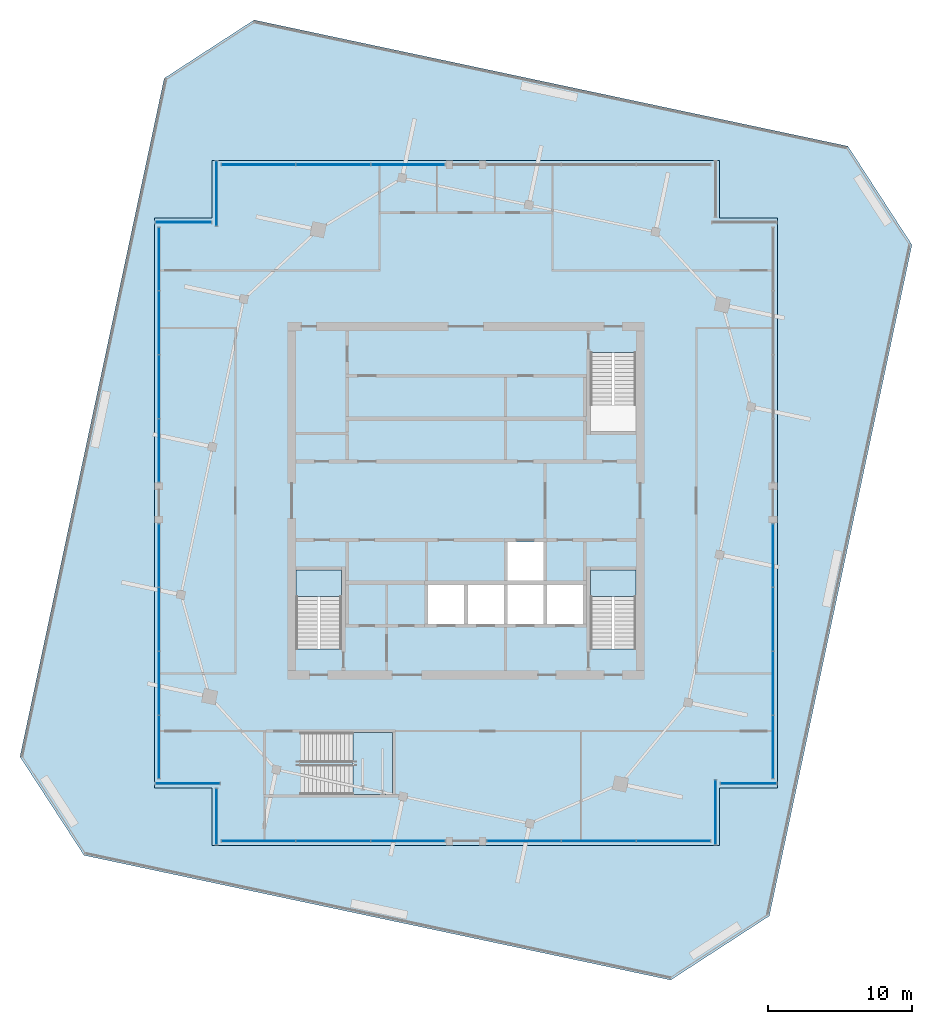
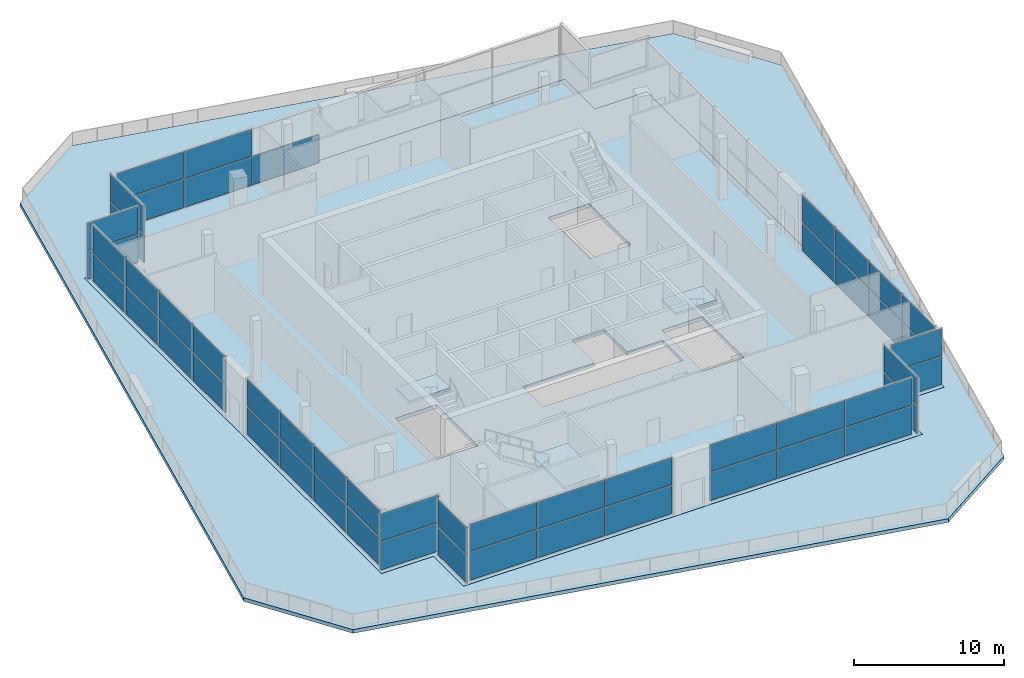
# One storey, part 6 of 14: 53 plates, 5 slabs, 15 elements without a shape of their own.
"""IFC4 building model written with IfcOpenShell, lengths in metres."""

from ifc_helpers import new_model, si_unit, direction, frame, origin, origin_2d, place, context, subcontext, project, spatial, polyline, rectangle, outline, extrude, material, layer, layer_set, type_object, element, aggregate, save


model = new_model("IFC4")

# Units and contexts
model_context = context("Model", 3, precision=1e-05, world=origin(), true_north=direction((0.0, 1.0)))
body_context = subcontext(model_context, "Body", "Model", "MODEL_VIEW")
ifc_project = project(units=[si_unit("LENGTHUNIT", "METRE"), si_unit("AREAUNIT", "SQUARE_METRE"), si_unit("VOLUMEUNIT", "CUBIC_METRE"), si_unit("PLANEANGLEUNIT", "RADIAN"), si_unit("MASSUNIT", "GRAM", prefix="KILO")], contexts=[model_context])

# Site, building, storey
site_placement = place(None, origin())
site = spatial("IfcSite", under=ifc_project, at=site_placement, CompositionType="ELEMENT")
building_placement = place(site_placement, origin())
building = spatial("IfcBuilding", under=site, at=building_placement, Name="Dilmun Exchange Tower", CompositionType="ELEMENT")
storey_placement = place(building_placement, frame((0.0, 0.0, 368.10009765625)))
storey = spatial("IfcBuildingStorey", under=building, at=storey_placement, Name="Crown L86", CompositionType="ELEMENT", Elevation=368.10009765625)

# Stair, slab
ifc_material_1 = material(Name="Concrete C40/50", Category="concrete")
stair_type_1 = type_object("IfcStairType", Name="Exit stair 1500 half-turn", PredefinedType="HALF_TURN_STAIR", material=ifc_material_1)
stair_1_placement = place(storey_placement, origin())
stair_1 = element("IfcStair", 1, at=stair_1_placement, inside=storey, type_object=stair_type_1, Name="Crown L86 Protected exit stair ST2", PredefinedType="HALF_TURN_STAIR")
ifc_layer_1 = layer(ifc_material_1, 0.199951171875)
ifc_layer_set_1 = layer_set([ifc_layer_1], Name="Concrete C40/50")
slab_type_1 = type_object("IfcSlabType", Name="Exit stair landing 200", PredefinedType="LANDING", material=ifc_layer_set_1)
slab_1_placement = place(storey_placement, frame((0.0, 0.0, 2.2998046875)))
slab_1 = element("IfcSlab", 2, at=slab_1_placement, type_object=slab_type_1, Name="ST2 landing 1", PredefinedType="LANDING", context=body_context, shape_type="SweptSolid", body=[
    extrude(outline(polyline([(-8.64990234375, -6.659912109375), (-8.64990234375, -4.800048828125), (-11.800048828125, -4.800048828125), (-11.800048828125, -6.659912109375), (-8.64990234375, -6.659912109375)])), origin(), (0.0, 0.0, 1.0), 0.2001953125),
])
aggregate(stair_1, [slab_1])

stair_2_placement = place(storey_placement, origin())
stair_2 = element("IfcStair", 3, at=stair_2_placement, inside=storey, type_object=stair_type_1, Name="Crown L86 Protected exit stair ST3", PredefinedType="HALF_TURN_STAIR")
slab_2_placement = place(storey_placement, frame((0.0, 0.0, 2.2998046875)))
slab_2 = element("IfcSlab", 4, at=slab_2_placement, type_object=slab_type_1, Name="ST3 landing 1", PredefinedType="LANDING", context=body_context, shape_type="SweptSolid", body=[
    extrude(outline(polyline([(11.800048828125, -6.659912109375), (11.800048828125, -4.800048828125), (8.64990234375, -4.800048828125), (8.64990234375, -6.659912109375), (11.800048828125, -6.659912109375)])), origin(), (0.0, 0.0, 1.0), 0.2001953125),
])
aggregate(stair_2, [slab_2])

# Curtain wall, plates
ifc_material_2 = material(Name="Anodised aluminium and clear glass", Category="aluminium")
curtain_wall_type = type_object("IfcCurtainWallType", Name="Observation lounge glazing", PredefinedType="NOTDEFINED", material=ifc_material_2)
curtain_wall_1_placement = place(storey_placement, origin())
curtain_wall_1 = element("IfcCurtainWall", 5, at=curtain_wall_1_placement, inside=storey, type_object=curtain_wall_type, Name="Observation lounge glazing run OL3.E", PredefinedType="NOTDEFINED")
ifc_material_3 = material(Name="Clear glass", Category="glass")
ifc_layer_2 = layer(ifc_material_3, 0.0439453125)
ifc_layer_set_2 = layer_set([ifc_layer_2], Name="Clear glass")
plate_type = type_object("IfcPlateType", Name="Observation lounge glazing glass panel 44", PredefinedType="CURTAIN_PANEL", material=ifc_layer_set_2)
plate_1_placement = place(storey_placement, frame((-4.021484375, 23.340087890625, 0.06982421875), z_axis=(0.0, 0.0, 1.0), x_axis=(-1.0, 0.0, 0.0)))
plate_1 = element("IfcPlate", 6, at=plate_1_placement, type_object=plate_type, Name="OL3.E panel 1.1", PredefinedType="CURTAIN_PANEL", context=body_context, shape_type="SweptSolid", body=[
    extrude(rectangle(XDim=5.102783203125, YDim=0.0439453125, at=origin_2d()), origin(), (0.0, 0.0, 1.0), 2.294921875),
])
plate_2_placement = place(storey_placement, frame((-9.211669921875, 23.340087890625, 0.06982421875), z_axis=(0.0, 0.0, 1.0), x_axis=(-1.0, 0.0, 0.0)))
plate_2 = element("IfcPlate", 7, at=plate_2_placement, type_object=plate_type, Name="OL3.E panel 2.1", PredefinedType="CURTAIN_PANEL", context=body_context, shape_type="SweptSolid", body=[
    extrude(rectangle(XDim=5.137939453125, YDim=0.0439453125, at=origin_2d()), origin(), (0.0, 0.0, 1.0), 2.294921875),
])
plate_3_placement = place(storey_placement, frame((-9.211669921875, 23.340087890625, 2.43505859375), z_axis=(0.0, 0.0, 1.0), x_axis=(-1.0, 0.0, 0.0)))
plate_3 = element("IfcPlate", 8, at=plate_3_placement, type_object=plate_type, Name="OL3.E panel 2.2", PredefinedType="CURTAIN_PANEL", context=body_context, shape_type="SweptSolid", body=[
    extrude(rectangle(XDim=5.137939453125, YDim=0.0439453125, at=origin_2d()), origin(), (0.0, 0.0, 1.0), 2.195068359375),
])
plate_4_placement = place(storey_placement, frame((-14.402099609375, 23.340087890625, 0.06982421875), z_axis=(0.0, 0.0, 1.0), x_axis=(-1.0, 0.0, 0.0)))
plate_4 = element("IfcPlate", 9, at=plate_4_placement, type_object=plate_type, Name="OL3.E panel 3.1", PredefinedType="CURTAIN_PANEL", context=body_context, shape_type="SweptSolid", body=[
    extrude(rectangle(XDim=5.102783203125, YDim=0.0439453125, at=origin_2d()), origin(), (0.0, 0.0, 1.0), 2.294921875),
])
plate_5_placement = place(storey_placement, frame((-14.402099609375, 23.340087890625, 2.43505859375), z_axis=(0.0, 0.0, 1.0), x_axis=(-1.0, 0.0, 0.0)))
plate_5 = element("IfcPlate", 10, at=plate_5_placement, type_object=plate_type, Name="OL3.E panel 3.2", PredefinedType="CURTAIN_PANEL", context=body_context, shape_type="SweptSolid", body=[
    extrude(rectangle(XDim=5.102783203125, YDim=0.0439453125, at=origin_2d()), origin(), (0.0, 0.0, 1.0), 2.195068359375),
])
aggregate(curtain_wall_1, [plate_1, plate_2, plate_3, plate_4, plate_5])

curtain_wall_2_placement = place(storey_placement, origin())
curtain_wall_2 = element("IfcCurtainWall", 11, at=curtain_wall_2_placement, inside=storey, type_object=curtain_wall_type, Name="Observation lounge glazing run OL4", PredefinedType="NOTDEFINED")
plate_6_placement = place(storey_placement, frame((-17.323486328125, 21.340087890625, 0.06982421875), z_axis=(0.0, 0.0, 1.0), x_axis=(0.0, -1.0, 0.0)))
plate_6 = element("IfcPlate", 12, at=plate_6_placement, type_object=plate_type, Name="OL4 panel 1.1", PredefinedType="CURTAIN_PANEL", context=body_context, shape_type="SweptSolid", body=[
    extrude(rectangle(XDim=4.4599609375, YDim=0.0439453125, at=origin_2d()), origin(), (0.0, 0.0, 1.0), 2.294921875),
])
plate_7_placement = place(storey_placement, frame((-17.323486328125, 21.340087890625, 2.43505859375), z_axis=(0.0, 0.0, 1.0), x_axis=(0.0, -1.0, 0.0)))
plate_7 = element("IfcPlate", 13, at=plate_7_placement, type_object=plate_type, Name="OL4 panel 1.2", PredefinedType="CURTAIN_PANEL", context=body_context, shape_type="SweptSolid", body=[
    extrude(rectangle(XDim=4.4599609375, YDim=0.0439453125, at=origin_2d()), origin(), (0.0, 0.0, 1.0), 2.195068359375),
])
aggregate(curtain_wall_2, [plate_6, plate_7])

curtain_wall_3_placement = place(storey_placement, origin())
curtain_wall_3 = element("IfcCurtainWall", 14, at=curtain_wall_3_placement, inside=storey, type_object=curtain_wall_type, Name="Observation lounge glazing run OL5", PredefinedType="NOTDEFINED")
plate_8_placement = place(storey_placement, frame((-19.62353515625, 19.340087890625, 0.06982421875), z_axis=(0.0, 0.0, 1.0), x_axis=(-1.0, 0.0, 0.0)))
plate_8 = element("IfcPlate", 15, at=plate_8_placement, type_object=plate_type, Name="OL5 panel 1.1", PredefinedType="CURTAIN_PANEL", context=body_context, shape_type="SweptSolid", body=[
    extrude(rectangle(XDim=3.860107421875, YDim=0.0439453125, at=origin_2d()), origin(), (0.0, 0.0, 1.0), 2.294921875),
])
plate_9_placement = place(storey_placement, frame((-19.62353515625, 19.340087890625, 2.43505859375), z_axis=(0.0, 0.0, 1.0), x_axis=(-1.0, 0.0, 0.0)))
plate_9 = element("IfcPlate", 16, at=plate_9_placement, type_object=plate_type, Name="OL5 panel 1.2", PredefinedType="CURTAIN_PANEL", context=body_context, shape_type="SweptSolid", body=[
    extrude(rectangle(XDim=3.860107421875, YDim=0.0439453125, at=origin_2d()), origin(), (0.0, 0.0, 1.0), 2.195068359375),
])
aggregate(curtain_wall_3, [plate_8, plate_9])

curtain_wall_4_placement = place(storey_placement, origin())
curtain_wall_4 = element("IfcCurtainWall", 17, at=curtain_wall_4_placement, inside=storey, type_object=curtain_wall_type, Name="Observation lounge glazing run OL6.1", PredefinedType="NOTDEFINED")
plate_10_placement = place(storey_placement, frame((-21.323486328125, 16.79931640625, 0.06982421875), z_axis=(0.0, 0.0, 1.0), x_axis=(0.0, -1.0, 0.0)))
plate_10 = element("IfcPlate", 18, at=plate_10_placement, type_object=plate_type, Name="OL6.1 panel 1.1", PredefinedType="CURTAIN_PANEL", context=body_context, shape_type="SweptSolid", body=[
    extrude(rectangle(XDim=4.341796875, YDim=0.0439453125, at=origin_2d()), origin(), (0.0, 0.0, 1.0), 2.294921875),
])
plate_11_placement = place(storey_placement, frame((-21.323486328125, 16.79931640625, 2.43505859375), z_axis=(0.0, 0.0, 1.0), x_axis=(0.0, -1.0, 0.0)))
plate_11 = element("IfcPlate", 19, at=plate_11_placement, type_object=plate_type, Name="OL6.1 panel 1.2", PredefinedType="CURTAIN_PANEL", context=body_context, shape_type="SweptSolid", body=[
    extrude(rectangle(XDim=4.341796875, YDim=0.0439453125, at=origin_2d()), origin(), (0.0, 0.0, 1.0), 2.195068359375),
])
plate_12_placement = place(storey_placement, frame((-21.323486328125, 12.3701171875, 0.06982421875), z_axis=(0.0, 0.0, 1.0), x_axis=(0.0, -1.0, 0.0)))
plate_12 = element("IfcPlate", 20, at=plate_12_placement, type_object=plate_type, Name="OL6.1 panel 2.1", PredefinedType="CURTAIN_PANEL", context=body_context, shape_type="SweptSolid", body=[
    extrude(rectangle(XDim=4.376708984375, YDim=0.0439453125, at=origin_2d()), origin(), (0.0, 0.0, 1.0), 2.294921875),
])
plate_13_placement = place(storey_placement, frame((-21.323486328125, 12.3701171875, 2.43505859375), z_axis=(0.0, 0.0, 1.0), x_axis=(0.0, -1.0, 0.0)))
plate_13 = element("IfcPlate", 21, at=plate_13_placement, type_object=plate_type, Name="OL6.1 panel 2.2", PredefinedType="CURTAIN_PANEL", context=body_context, shape_type="SweptSolid", body=[
    extrude(rectangle(XDim=4.376708984375, YDim=0.0439453125, at=origin_2d()), origin(), (0.0, 0.0, 1.0), 2.195068359375),
])
plate_14_placement = place(storey_placement, frame((-21.323486328125, 7.923095703125, 0.06982421875), z_axis=(0.0, 0.0, 1.0), x_axis=(0.0, -1.0, 0.0)))
plate_14 = element("IfcPlate", 22, at=plate_14_placement, type_object=plate_type, Name="OL6.1 panel 3.1", PredefinedType="CURTAIN_PANEL", context=body_context, shape_type="SweptSolid", body=[
    extrude(rectangle(XDim=4.376708984375, YDim=0.0439453125, at=origin_2d()), origin(), (0.0, 0.0, 1.0), 2.294921875),
])
plate_15_placement = place(storey_placement, frame((-21.323486328125, 7.923095703125, 2.43505859375), z_axis=(0.0, 0.0, 1.0), x_axis=(0.0, -1.0, 0.0)))
plate_15 = element("IfcPlate", 23, at=plate_15_placement, type_object=plate_type, Name="OL6.1 panel 3.2", PredefinedType="CURTAIN_PANEL", context=body_context, shape_type="SweptSolid", body=[
    extrude(rectangle(XDim=4.376708984375, YDim=0.0439453125, at=origin_2d()), origin(), (0.0, 0.0, 1.0), 2.195068359375),
])
plate_16_placement = place(storey_placement, frame((-21.323486328125, 3.493896484375, 0.06982421875), z_axis=(0.0, 0.0, 1.0), x_axis=(0.0, -1.0, 0.0)))
plate_16 = element("IfcPlate", 24, at=plate_16_placement, type_object=plate_type, Name="OL6.1 panel 4.1", PredefinedType="CURTAIN_PANEL", context=body_context, shape_type="SweptSolid", body=[
    extrude(rectangle(XDim=4.341796875, YDim=0.0439453125, at=origin_2d()), origin(), (0.0, 0.0, 1.0), 2.294921875),
])
plate_17_placement = place(storey_placement, frame((-21.323486328125, 3.493896484375, 2.43505859375), z_axis=(0.0, 0.0, 1.0), x_axis=(0.0, -1.0, 0.0)))
plate_17 = element("IfcPlate", 25, at=plate_17_placement, type_object=plate_type, Name="OL6.1 panel 4.2", PredefinedType="CURTAIN_PANEL", context=body_context, shape_type="SweptSolid", body=[
    extrude(rectangle(XDim=4.341796875, YDim=0.0439453125, at=origin_2d()), origin(), (0.0, 0.0, 1.0), 2.195068359375),
])
aggregate(curtain_wall_4, [plate_10, plate_11, plate_12, plate_13, plate_14, plate_15, plate_16, plate_17])

curtain_wall_5_placement = place(storey_placement, origin())
curtain_wall_5 = element("IfcCurtainWall", 26, at=curtain_wall_5_placement, inside=storey, type_object=curtain_wall_type, Name="Observation lounge glazing run OL6.E", PredefinedType="NOTDEFINED")
plate_18_placement = place(storey_placement, frame((-21.323486328125, -3.787841796875, 0.06982421875), z_axis=(0.0, 0.0, 1.0), x_axis=(0.0, -1.0, 0.0)))
plate_18 = element("IfcPlate", 27, at=plate_18_placement, type_object=plate_type, Name="OL6.E panel 1.1", PredefinedType="CURTAIN_PANEL", context=body_context, shape_type="SweptSolid", body=[
    extrude(rectangle(XDim=4.341796875, YDim=0.0439453125, at=origin_2d()), origin(), (0.0, 0.0, 1.0), 2.294921875),
])
plate_19_placement = place(storey_placement, frame((-21.323486328125, -3.787841796875, 2.43505859375), z_axis=(0.0, 0.0, 1.0), x_axis=(0.0, -1.0, 0.0)))
plate_19 = element("IfcPlate", 28, at=plate_19_placement, type_object=plate_type, Name="OL6.E panel 1.2", PredefinedType="CURTAIN_PANEL", context=body_context, shape_type="SweptSolid", body=[
    extrude(rectangle(XDim=4.341796875, YDim=0.0439453125, at=origin_2d()), origin(), (0.0, 0.0, 1.0), 2.195068359375),
])
plate_20_placement = place(storey_placement, frame((-21.323486328125, -8.21728515625, 0.06982421875), z_axis=(0.0, 0.0, 1.0), x_axis=(0.0, -1.0, 0.0)))
plate_20 = element("IfcPlate", 29, at=plate_20_placement, type_object=plate_type, Name="OL6.E panel 2.1", PredefinedType="CURTAIN_PANEL", context=body_context, shape_type="SweptSolid", body=[
    extrude(rectangle(XDim=4.376708984375, YDim=0.0439453125, at=origin_2d()), origin(), (0.0, 0.0, 1.0), 2.294921875),
])
plate_21_placement = place(storey_placement, frame((-21.323486328125, -8.21728515625, 2.43505859375), z_axis=(0.0, 0.0, 1.0), x_axis=(0.0, -1.0, 0.0)))
plate_21 = element("IfcPlate", 30, at=plate_21_placement, type_object=plate_type, Name="OL6.E panel 2.2", PredefinedType="CURTAIN_PANEL", context=body_context, shape_type="SweptSolid", body=[
    extrude(rectangle(XDim=4.376708984375, YDim=0.0439453125, at=origin_2d()), origin(), (0.0, 0.0, 1.0), 2.195068359375),
])
plate_22_placement = place(storey_placement, frame((-21.323486328125, -12.6640625, 0.06982421875), z_axis=(0.0, 0.0, 1.0), x_axis=(0.0, -1.0, 0.0)))
plate_22 = element("IfcPlate", 31, at=plate_22_placement, type_object=plate_type, Name="OL6.E panel 3.1", PredefinedType="CURTAIN_PANEL", context=body_context, shape_type="SweptSolid", body=[
    extrude(rectangle(XDim=4.376708984375, YDim=0.0439453125, at=origin_2d()), origin(), (0.0, 0.0, 1.0), 2.294921875),
])
plate_23_placement = place(storey_placement, frame((-21.323486328125, -12.6640625, 2.43505859375), z_axis=(0.0, 0.0, 1.0), x_axis=(0.0, -1.0, 0.0)))
plate_23 = element("IfcPlate", 32, at=plate_23_placement, type_object=plate_type, Name="OL6.E panel 3.2", PredefinedType="CURTAIN_PANEL", context=body_context, shape_type="SweptSolid", body=[
    extrude(rectangle(XDim=4.376708984375, YDim=0.0439453125, at=origin_2d()), origin(), (0.0, 0.0, 1.0), 2.195068359375),
])
plate_24_placement = place(storey_placement, frame((-21.323486328125, -17.09326171875, 0.06982421875), z_axis=(0.0, 0.0, 1.0), x_axis=(0.0, -1.0, 0.0)))
plate_24 = element("IfcPlate", 33, at=plate_24_placement, type_object=plate_type, Name="OL6.E panel 4.1", PredefinedType="CURTAIN_PANEL", context=body_context, shape_type="SweptSolid", body=[
    extrude(rectangle(XDim=4.341796875, YDim=0.0439453125, at=origin_2d()), origin(), (0.0, 0.0, 1.0), 2.294921875),
])
plate_25_placement = place(storey_placement, frame((-21.323486328125, -17.09326171875, 2.43505859375), z_axis=(0.0, 0.0, 1.0), x_axis=(0.0, -1.0, 0.0)))
plate_25 = element("IfcPlate", 34, at=plate_25_placement, type_object=plate_type, Name="OL6.E panel 4.2", PredefinedType="CURTAIN_PANEL", context=body_context, shape_type="SweptSolid", body=[
    extrude(rectangle(XDim=4.341796875, YDim=0.0439453125, at=origin_2d()), origin(), (0.0, 0.0, 1.0), 2.195068359375),
])
aggregate(curtain_wall_5, [plate_18, plate_19, plate_20, plate_21, plate_22, plate_23, plate_24, plate_25])

curtain_wall_6_placement = place(storey_placement, origin())
curtain_wall_6 = element("IfcCurtainWall", 35, at=curtain_wall_6_placement, inside=storey, type_object=curtain_wall_type, Name="Observation lounge glazing run OL7", PredefinedType="NOTDEFINED")
plate_26_placement = place(storey_placement, frame((-19.323486328125, -19.63427734375, 0.06982421875), z_axis=(0.0, 0.0, 1.0), x_axis=(1.0, 0.0, 0.0)))
plate_26 = element("IfcPlate", 36, at=plate_26_placement, type_object=plate_type, Name="OL7 panel 1.1", PredefinedType="CURTAIN_PANEL", context=body_context, shape_type="SweptSolid", body=[
    extrude(rectangle(XDim=4.4599609375, YDim=0.0439453125, at=origin_2d()), origin(), (0.0, 0.0, 1.0), 2.294921875),
])
plate_27_placement = place(storey_placement, frame((-19.323486328125, -19.63427734375, 2.43505859375), z_axis=(0.0, 0.0, 1.0), x_axis=(1.0, 0.0, 0.0)))
plate_27 = element("IfcPlate", 37, at=plate_27_placement, type_object=plate_type, Name="OL7 panel 1.2", PredefinedType="CURTAIN_PANEL", context=body_context, shape_type="SweptSolid", body=[
    extrude(rectangle(XDim=4.4599609375, YDim=0.0439453125, at=origin_2d()), origin(), (0.0, 0.0, 1.0), 2.195068359375),
])
aggregate(curtain_wall_6, [plate_26, plate_27])

curtain_wall_7_placement = place(storey_placement, origin())
curtain_wall_7 = element("IfcCurtainWall", 38, at=curtain_wall_7_placement, inside=storey, type_object=curtain_wall_type, Name="Observation lounge glazing run OL8", PredefinedType="NOTDEFINED")
plate_28_placement = place(storey_placement, frame((-17.323486328125, -21.93408203125, 0.06982421875), z_axis=(0.0, 0.0, 1.0), x_axis=(0.0, -1.0, 0.0)))
plate_28 = element("IfcPlate", 39, at=plate_28_placement, type_object=plate_type, Name="OL8 panel 1.1", PredefinedType="CURTAIN_PANEL", context=body_context, shape_type="SweptSolid", body=[
    extrude(rectangle(XDim=3.860107421875, YDim=0.0439453125, at=origin_2d()), origin(), (0.0, 0.0, 1.0), 2.294921875),
])
plate_29_placement = place(storey_placement, frame((-17.323486328125, -21.93408203125, 2.43505859375), z_axis=(0.0, 0.0, 1.0), x_axis=(0.0, -1.0, 0.0)))
plate_29 = element("IfcPlate", 40, at=plate_29_placement, type_object=plate_type, Name="OL8 panel 1.2", PredefinedType="CURTAIN_PANEL", context=body_context, shape_type="SweptSolid", body=[
    extrude(rectangle(XDim=3.860107421875, YDim=0.0439453125, at=origin_2d()), origin(), (0.0, 0.0, 1.0), 2.195068359375),
])
aggregate(curtain_wall_7, [plate_28, plate_29])

curtain_wall_8_placement = place(storey_placement, origin())
curtain_wall_8 = element("IfcCurtainWall", 41, at=curtain_wall_8_placement, inside=storey, type_object=curtain_wall_type, Name="Observation lounge glazing run OL9.1", PredefinedType="NOTDEFINED")
plate_30_placement = place(storey_placement, frame((-14.402099609375, -23.63427734375, 0.06982421875), z_axis=(0.0, 0.0, 1.0), x_axis=(1.0, 0.0, 0.0)))
plate_30 = element("IfcPlate", 42, at=plate_30_placement, type_object=plate_type, Name="OL9.1 panel 1.1", PredefinedType="CURTAIN_PANEL", context=body_context, shape_type="SweptSolid", body=[
    extrude(rectangle(XDim=5.102783203125, YDim=0.0439453125, at=origin_2d()), origin(), (0.0, 0.0, 1.0), 2.294921875),
])
plate_31_placement = place(storey_placement, frame((-14.402099609375, -23.63427734375, 2.43505859375), z_axis=(0.0, 0.0, 1.0), x_axis=(1.0, 0.0, 0.0)))
plate_31 = element("IfcPlate", 43, at=plate_31_placement, type_object=plate_type, Name="OL9.1 panel 1.2", PredefinedType="CURTAIN_PANEL", context=body_context, shape_type="SweptSolid", body=[
    extrude(rectangle(XDim=5.102783203125, YDim=0.0439453125, at=origin_2d()), origin(), (0.0, 0.0, 1.0), 2.195068359375),
])
plate_32_placement = place(storey_placement, frame((-9.211669921875, -23.63427734375, 0.06982421875), z_axis=(0.0, 0.0, 1.0), x_axis=(1.0, 0.0, 0.0)))
plate_32 = element("IfcPlate", 44, at=plate_32_placement, type_object=plate_type, Name="OL9.1 panel 2.1", PredefinedType="CURTAIN_PANEL", context=body_context, shape_type="SweptSolid", body=[
    extrude(rectangle(XDim=5.137939453125, YDim=0.0439453125, at=origin_2d()), origin(), (0.0, 0.0, 1.0), 2.294921875),
])
plate_33_placement = place(storey_placement, frame((-9.211669921875, -23.63427734375, 2.43505859375), z_axis=(0.0, 0.0, 1.0), x_axis=(1.0, 0.0, 0.0)))
plate_33 = element("IfcPlate", 45, at=plate_33_placement, type_object=plate_type, Name="OL9.1 panel 2.2", PredefinedType="CURTAIN_PANEL", context=body_context, shape_type="SweptSolid", body=[
    extrude(rectangle(XDim=5.137939453125, YDim=0.0439453125, at=origin_2d()), origin(), (0.0, 0.0, 1.0), 2.195068359375),
])
plate_34_placement = place(storey_placement, frame((-4.021484375, -23.63427734375, 0.06982421875), z_axis=(0.0, 0.0, 1.0), x_axis=(1.0, 0.0, 0.0)))
plate_34 = element("IfcPlate", 46, at=plate_34_placement, type_object=plate_type, Name="OL9.1 panel 3.1", PredefinedType="CURTAIN_PANEL", context=body_context, shape_type="SweptSolid", body=[
    extrude(rectangle(XDim=5.102783203125, YDim=0.0439453125, at=origin_2d()), origin(), (0.0, 0.0, 1.0), 2.294921875),
])
plate_35_placement = place(storey_placement, frame((-4.021484375, -23.63427734375, 2.43505859375), z_axis=(0.0, 0.0, 1.0), x_axis=(1.0, 0.0, 0.0)))
plate_35 = element("IfcPlate", 47, at=plate_35_placement, type_object=plate_type, Name="OL9.1 panel 3.2", PredefinedType="CURTAIN_PANEL", context=body_context, shape_type="SweptSolid", body=[
    extrude(rectangle(XDim=5.102783203125, YDim=0.0439453125, at=origin_2d()), origin(), (0.0, 0.0, 1.0), 2.195068359375),
])
aggregate(curtain_wall_8, [plate_30, plate_31, plate_32, plate_33, plate_34, plate_35])

curtain_wall_9_placement = place(storey_placement, origin())
curtain_wall_9 = element("IfcCurtainWall", 48, at=curtain_wall_9_placement, inside=storey, type_object=curtain_wall_type, Name="Observation lounge glazing run OL9.E", PredefinedType="NOTDEFINED")
plate_36_placement = place(storey_placement, frame((4.021484375, -23.63427734375, 0.06982421875), z_axis=(0.0, 0.0, 1.0), x_axis=(1.0, 0.0, 0.0)))
plate_36 = element("IfcPlate", 49, at=plate_36_placement, type_object=plate_type, Name="OL9.E panel 1.1", PredefinedType="CURTAIN_PANEL", context=body_context, shape_type="SweptSolid", body=[
    extrude(rectangle(XDim=5.102783203125, YDim=0.0439453125, at=origin_2d()), origin(), (0.0, 0.0, 1.0), 2.294921875),
])
plate_37_placement = place(storey_placement, frame((4.021484375, -23.63427734375, 2.43505859375), z_axis=(0.0, 0.0, 1.0), x_axis=(1.0, 0.0, 0.0)))
plate_37 = element("IfcPlate", 50, at=plate_37_placement, type_object=plate_type, Name="OL9.E panel 1.2", PredefinedType="CURTAIN_PANEL", context=body_context, shape_type="SweptSolid", body=[
    extrude(rectangle(XDim=5.102783203125, YDim=0.0439453125, at=origin_2d()), origin(), (0.0, 0.0, 1.0), 2.195068359375),
])
plate_38_placement = place(storey_placement, frame((9.211669921875, -23.63427734375, 0.06982421875), z_axis=(0.0, 0.0, 1.0), x_axis=(1.0, 0.0, 0.0)))
plate_38 = element("IfcPlate", 51, at=plate_38_placement, type_object=plate_type, Name="OL9.E panel 2.1", PredefinedType="CURTAIN_PANEL", context=body_context, shape_type="SweptSolid", body=[
    extrude(rectangle(XDim=5.137939453125, YDim=0.0439453125, at=origin_2d()), origin(), (0.0, 0.0, 1.0), 2.294921875),
])
plate_39_placement = place(storey_placement, frame((9.211669921875, -23.63427734375, 2.43505859375), z_axis=(0.0, 0.0, 1.0), x_axis=(1.0, 0.0, 0.0)))
plate_39 = element("IfcPlate", 52, at=plate_39_placement, type_object=plate_type, Name="OL9.E panel 2.2", PredefinedType="CURTAIN_PANEL", context=body_context, shape_type="SweptSolid", body=[
    extrude(rectangle(XDim=5.137939453125, YDim=0.0439453125, at=origin_2d()), origin(), (0.0, 0.0, 1.0), 2.195068359375),
])
plate_40_placement = place(storey_placement, frame((14.402099609375, -23.63427734375, 0.06982421875), z_axis=(0.0, 0.0, 1.0), x_axis=(1.0, 0.0, 0.0)))
plate_40 = element("IfcPlate", 53, at=plate_40_placement, type_object=plate_type, Name="OL9.E panel 3.1", PredefinedType="CURTAIN_PANEL", context=body_context, shape_type="SweptSolid", body=[
    extrude(rectangle(XDim=5.102783203125, YDim=0.0439453125, at=origin_2d()), origin(), (0.0, 0.0, 1.0), 2.294921875),
])
plate_41_placement = place(storey_placement, frame((14.402099609375, -23.63427734375, 2.43505859375), z_axis=(0.0, 0.0, 1.0), x_axis=(1.0, 0.0, 0.0)))
plate_41 = element("IfcPlate", 54, at=plate_41_placement, type_object=plate_type, Name="OL9.E panel 3.2", PredefinedType="CURTAIN_PANEL", context=body_context, shape_type="SweptSolid", body=[
    extrude(rectangle(XDim=5.102783203125, YDim=0.0439453125, at=origin_2d()), origin(), (0.0, 0.0, 1.0), 2.195068359375),
])
aggregate(curtain_wall_9, [plate_36, plate_37, plate_38, plate_39, plate_40, plate_41])

curtain_wall_10_placement = place(storey_placement, origin())
curtain_wall_10 = element("IfcCurtainWall", 55, at=curtain_wall_10_placement, inside=storey, type_object=curtain_wall_type, Name="Observation lounge glazing run OL10", PredefinedType="NOTDEFINED")
plate_42_placement = place(storey_placement, frame((17.323486328125, -21.63427734375, 0.06982421875), z_axis=(0.0, 0.0, 1.0), x_axis=(0.0, 1.0, 0.0)))
plate_42 = element("IfcPlate", 56, at=plate_42_placement, type_object=plate_type, Name="OL10 panel 1.1", PredefinedType="CURTAIN_PANEL", context=body_context, shape_type="SweptSolid", body=[
    extrude(rectangle(XDim=4.4599609375, YDim=0.0439453125, at=origin_2d()), origin(), (0.0, 0.0, 1.0), 2.294921875),
])
plate_43_placement = place(storey_placement, frame((17.323486328125, -21.63427734375, 2.43505859375), z_axis=(0.0, 0.0, 1.0), x_axis=(0.0, 1.0, 0.0)))
plate_43 = element("IfcPlate", 57, at=plate_43_placement, type_object=plate_type, Name="OL10 panel 1.2", PredefinedType="CURTAIN_PANEL", context=body_context, shape_type="SweptSolid", body=[
    extrude(rectangle(XDim=4.4599609375, YDim=0.0439453125, at=origin_2d()), origin(), (0.0, 0.0, 1.0), 2.195068359375),
])
aggregate(curtain_wall_10, [plate_42, plate_43])

curtain_wall_11_placement = place(storey_placement, origin())
curtain_wall_11 = element("IfcCurtainWall", 58, at=curtain_wall_11_placement, inside=storey, type_object=curtain_wall_type, Name="Observation lounge glazing run OL11", PredefinedType="NOTDEFINED")
plate_44_placement = place(storey_placement, frame((19.62353515625, -19.63427734375, 0.06982421875), z_axis=(0.0, 0.0, 1.0), x_axis=(1.0, 0.0, 0.0)))
plate_44 = element("IfcPlate", 59, at=plate_44_placement, type_object=plate_type, Name="OL11 panel 1.1", PredefinedType="CURTAIN_PANEL", context=body_context, shape_type="SweptSolid", body=[
    extrude(rectangle(XDim=3.860107421875, YDim=0.0439453125, at=origin_2d()), origin(), (0.0, 0.0, 1.0), 2.294921875),
])
plate_45_placement = place(storey_placement, frame((19.62353515625, -19.63427734375, 2.43505859375), z_axis=(0.0, 0.0, 1.0), x_axis=(1.0, 0.0, 0.0)))
plate_45 = element("IfcPlate", 60, at=plate_45_placement, type_object=plate_type, Name="OL11 panel 1.2", PredefinedType="CURTAIN_PANEL", context=body_context, shape_type="SweptSolid", body=[
    extrude(rectangle(XDim=3.860107421875, YDim=0.0439453125, at=origin_2d()), origin(), (0.0, 0.0, 1.0), 2.195068359375),
])
aggregate(curtain_wall_11, [plate_44, plate_45])

curtain_wall_12_placement = place(storey_placement, origin())
curtain_wall_12 = element("IfcCurtainWall", 61, at=curtain_wall_12_placement, inside=storey, type_object=curtain_wall_type, Name="Observation lounge glazing run OL12.1", PredefinedType="NOTDEFINED")
plate_46_placement = place(storey_placement, frame((21.323486328125, -17.09326171875, 0.06982421875), z_axis=(0.0, 0.0, 1.0), x_axis=(0.0, 1.0, 0.0)))
plate_46 = element("IfcPlate", 62, at=plate_46_placement, type_object=plate_type, Name="OL12.1 panel 1.1", PredefinedType="CURTAIN_PANEL", context=body_context, shape_type="SweptSolid", body=[
    extrude(rectangle(XDim=4.341796875, YDim=0.0439453125, at=origin_2d()), origin(), (0.0, 0.0, 1.0), 2.294921875),
])
plate_47_placement = place(storey_placement, frame((21.323486328125, -17.09326171875, 2.43505859375), z_axis=(0.0, 0.0, 1.0), x_axis=(0.0, 1.0, 0.0)))
plate_47 = element("IfcPlate", 63, at=plate_47_placement, type_object=plate_type, Name="OL12.1 panel 1.2", PredefinedType="CURTAIN_PANEL", context=body_context, shape_type="SweptSolid", body=[
    extrude(rectangle(XDim=4.341796875, YDim=0.0439453125, at=origin_2d()), origin(), (0.0, 0.0, 1.0), 2.195068359375),
])
plate_48_placement = place(storey_placement, frame((21.323486328125, -12.6640625, 0.06982421875), z_axis=(0.0, 0.0, 1.0), x_axis=(0.0, 1.0, 0.0)))
plate_48 = element("IfcPlate", 64, at=plate_48_placement, type_object=plate_type, Name="OL12.1 panel 2.1", PredefinedType="CURTAIN_PANEL", context=body_context, shape_type="SweptSolid", body=[
    extrude(rectangle(XDim=4.376708984375, YDim=0.0439453125, at=origin_2d()), origin(), (0.0, 0.0, 1.0), 2.294921875),
])
plate_49_placement = place(storey_placement, frame((21.323486328125, -12.6640625, 2.43505859375), z_axis=(0.0, 0.0, 1.0), x_axis=(0.0, 1.0, 0.0)))
plate_49 = element("IfcPlate", 65, at=plate_49_placement, type_object=plate_type, Name="OL12.1 panel 2.2", PredefinedType="CURTAIN_PANEL", context=body_context, shape_type="SweptSolid", body=[
    extrude(rectangle(XDim=4.376708984375, YDim=0.0439453125, at=origin_2d()), origin(), (0.0, 0.0, 1.0), 2.195068359375),
])
plate_50_placement = place(storey_placement, frame((21.323486328125, -8.21728515625, 0.06982421875), z_axis=(0.0, 0.0, 1.0), x_axis=(0.0, 1.0, 0.0)))
plate_50 = element("IfcPlate", 66, at=plate_50_placement, type_object=plate_type, Name="OL12.1 panel 3.1", PredefinedType="CURTAIN_PANEL", context=body_context, shape_type="SweptSolid", body=[
    extrude(rectangle(XDim=4.376708984375, YDim=0.0439453125, at=origin_2d()), origin(), (0.0, 0.0, 1.0), 2.294921875),
])
plate_51_placement = place(storey_placement, frame((21.323486328125, -8.21728515625, 2.43505859375), z_axis=(0.0, 0.0, 1.0), x_axis=(0.0, 1.0, 0.0)))
plate_51 = element("IfcPlate", 67, at=plate_51_placement, type_object=plate_type, Name="OL12.1 panel 3.2", PredefinedType="CURTAIN_PANEL", context=body_context, shape_type="SweptSolid", body=[
    extrude(rectangle(XDim=4.376708984375, YDim=0.0439453125, at=origin_2d()), origin(), (0.0, 0.0, 1.0), 2.195068359375),
])
plate_52_placement = place(storey_placement, frame((21.323486328125, -3.787841796875, 0.06982421875), z_axis=(0.0, 0.0, 1.0), x_axis=(0.0, 1.0, 0.0)))
plate_52 = element("IfcPlate", 68, at=plate_52_placement, type_object=plate_type, Name="OL12.1 panel 4.1", PredefinedType="CURTAIN_PANEL", context=body_context, shape_type="SweptSolid", body=[
    extrude(rectangle(XDim=4.341796875, YDim=0.0439453125, at=origin_2d()), origin(), (0.0, 0.0, 1.0), 2.294921875),
])
plate_53_placement = place(storey_placement, frame((21.323486328125, -3.787841796875, 2.43505859375), z_axis=(0.0, 0.0, 1.0), x_axis=(0.0, 1.0, 0.0)))
plate_53 = element("IfcPlate", 69, at=plate_53_placement, type_object=plate_type, Name="OL12.1 panel 4.2", PredefinedType="CURTAIN_PANEL", context=body_context, shape_type="SweptSolid", body=[
    extrude(rectangle(XDim=4.341796875, YDim=0.0439453125, at=origin_2d()), origin(), (0.0, 0.0, 1.0), 2.195068359375),
])
aggregate(curtain_wall_12, [plate_46, plate_47, plate_48, plate_49, plate_50, plate_51, plate_52, plate_53])

# Stair, slab
stair_type_2 = type_object("IfcStairType", Name="Podium exit stair 1500", PredefinedType="HALF_TURN_STAIR", material=ifc_material_1)
stair_3_placement = place(storey_placement, origin())
stair_3 = element("IfcStair", 70, at=stair_3_placement, inside=storey, type_object=stair_type_2, Name="Crown L86 Podium exit stair CS1", PredefinedType="HALF_TURN_STAIR")
ifc_layer_3 = layer(ifc_material_1, 0.199951171875)
ifc_layer_set_3 = layer_set([ifc_layer_3], Name="Concrete C40/50")
slab_type_2 = type_object("IfcSlabType", Name="Podium stair landing 200", PredefinedType="LANDING", material=ifc_layer_set_3)
slab_3_placement = place(storey_placement, frame((0.0, 0.0, 2.2998046875)))
slab_3 = element("IfcSlab", 71, at=slab_3_placement, type_object=slab_type_2, Name="CS1 landing 1", PredefinedType="LANDING", context=body_context, shape_type="SweptSolid", body=[
    extrude(outline(polyline([(-7.860107421875, -20.39990234375), (-5.10498046875, -20.39990234375), (-5.10498046875, -16.10205078125), (-7.860107421875, -16.10205078125), (-7.860107421875, -20.39990234375)])), origin(), (0.0, 0.0, 1.0), 0.2001953125),
])
aggregate(stair_3, [slab_3])

# Slabs
ifc_layer_4 = layer(ifc_material_1, 0.300048828125)
ifc_layer_set_4 = layer_set([ifc_layer_4], Name="Concrete C40/50")
slab_type_3 = type_object("IfcSlabType", Name="RC floor slab 300", PredefinedType="FLOOR", material=ifc_layer_set_4)
slab_4_placement = place(storey_placement, frame((0.0, 0.0, -0.300048828125)))
element("IfcSlab", 72, at=slab_4_placement, inside=storey, type_object=slab_type_3, Name="Observation room floor", PredefinedType="FLOOR", context=body_context, shape_type="SweptSolid", body=[
    extrude(outline(polyline([(17.62353515625, -19.93408203125), (17.62353515625, -23.93408203125), (-17.62353515625, -23.93408203125), (-17.62353515625, -19.93408203125), (-21.62353515625, -19.93408203125), (-21.62353515625, 19.64013671875), (-17.62353515625, 19.64013671875), (-17.62353515625, 23.64013671875), (17.62353515625, 23.64013671875), (17.62353515625, 19.64013671875), (21.62353515625, 19.64013671875), (21.62353515625, -19.93408203125), (17.62353515625, -19.93408203125)]), holes=[polyline([(-8.64990234375, -4.800048828125), (-11.800048828125, -4.800048828125), (-11.800048828125, -10.294921875), (-8.64990234375, -10.294921875), (-8.64990234375, -4.800048828125)]), polyline([(11.800048828125, -4.800048828125), (8.64990234375, -4.800048828125), (8.64990234375, -10.294921875), (11.800048828125, -10.294921875), (11.800048828125, -4.800048828125)]), polyline([(-2.625, -5.85009765625), (-2.625, -8.550048828125), (8.125, -8.550048828125), (8.125, -5.85009765625), (5.375, -5.85009765625), (5.375, -2.85009765625), (2.875, -2.85009765625), (2.875, -5.85009765625), (-2.625, -5.85009765625)]), polyline([(8.64990234375, 4.800048828125), (11.800048828125, 4.800048828125), (11.800048828125, 10.294921875), (8.64990234375, 10.294921875), (8.64990234375, 4.800048828125)])]), origin(), (0.0, 0.0, 1.0), 0.300048828125),
])
ifc_layer_5 = layer(ifc_material_1, 0.300048828125)
ifc_layer_set_5 = layer_set([ifc_layer_5], Name="Concrete C40/50")
slab_type_4 = type_object("IfcSlabType", Name="RC observation deck slab 300", PredefinedType="FLOOR", material=ifc_layer_set_5)
slab_5_placement = place(storey_placement, frame((0.0, 0.0, -0.300048828125)))
element("IfcSlab", 73, at=slab_5_placement, inside=storey, type_object=slab_type_4, Name="Observation deck slab", PredefinedType="FLOOR", context=body_context, shape_type="SweptSolid", body=[
    extrude(outline(polyline([(-26.52294921875, -24.62353515625), (-30.971923828125, -17.772705078125), (-20.959228515625, 29.3330078125), (-14.7138671875, 33.388916015625), (26.52294921875, 24.62353515625), (30.971923828125, 17.772705078125), (21.0654296875, -28.833740234375), (14.214599609375, -33.28271484375), (-26.52294921875, -24.62353515625)]), holes=[polyline([(21.62353515625, 19.64013671875), (17.62353515625, 19.64013671875), (17.62353515625, 23.64013671875), (-17.62353515625, 23.64013671875), (-17.62353515625, 19.64013671875), (-21.62353515625, 19.64013671875), (-21.62353515625, -19.93408203125), (-17.62353515625, -19.93408203125), (-17.62353515625, -23.93408203125), (17.62353515625, -23.93408203125), (17.62353515625, -19.93408203125), (21.62353515625, -19.93408203125), (21.62353515625, 19.64013671875)])]), origin(), (0.0, 0.0, 1.0), 0.300048828125),
])

save(model, "model.ifc")
